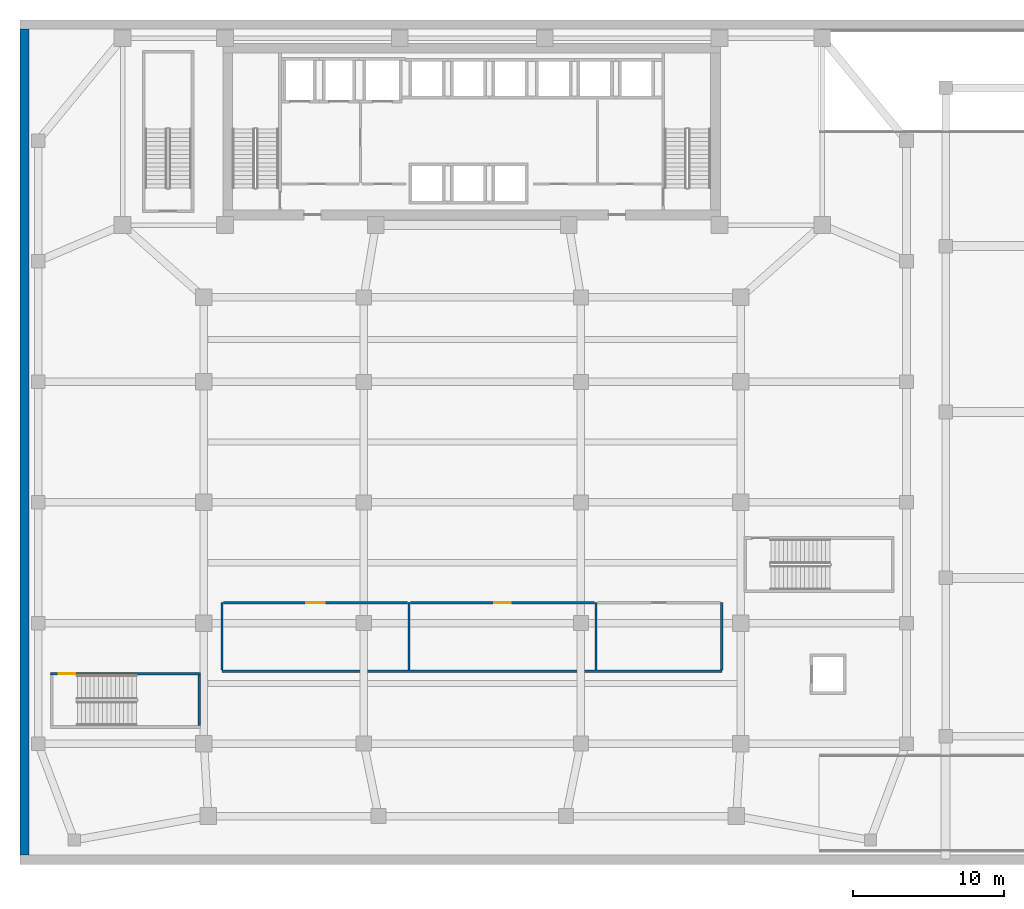
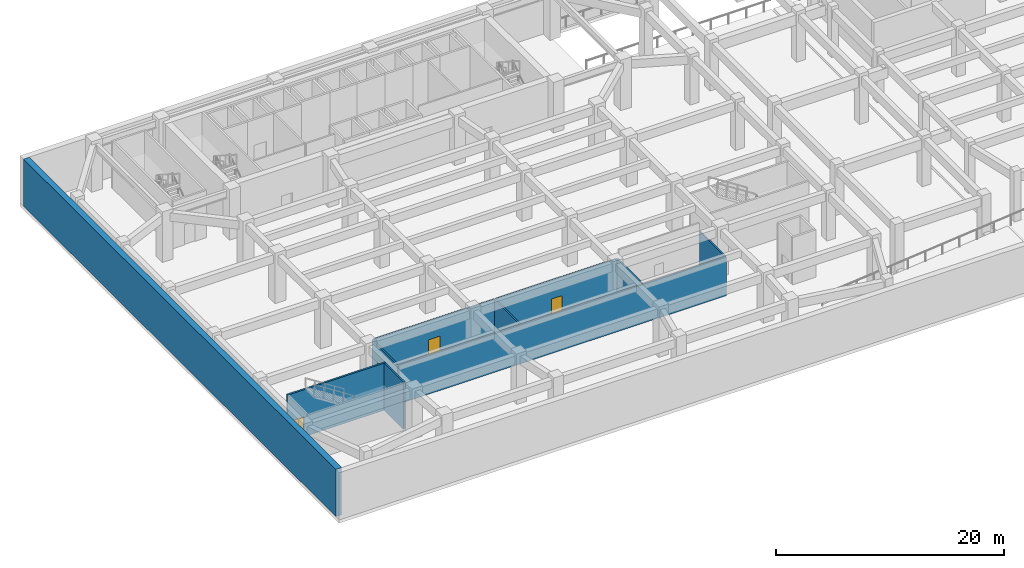
# One storey, part 4 of 14: 10 walls, 3 doors, 3 openings.
"""IFC4 building model written with IfcOpenShell, lengths in metres."""

from ifc_helpers import new_model, si_unit, direction, frame, frame_2d, origin, place, context, subcontext, project, spatial, rectangle, extrude, material, layer, layer_set, type_object, element, fill, save


model = new_model("IFC4")

# Units and contexts
model_context = context("Model", 3, precision=1e-05, world=origin(), true_north=direction((0.0, 1.0)))
body_context = subcontext(model_context, "Body", "Model", "MODEL_VIEW")
ifc_project = project(units=[si_unit("LENGTHUNIT", "METRE"), si_unit("AREAUNIT", "SQUARE_METRE"), si_unit("VOLUMEUNIT", "CUBIC_METRE"), si_unit("PLANEANGLEUNIT", "RADIAN"), si_unit("MASSUNIT", "GRAM", prefix="KILO")], contexts=[model_context])

# Site, building, storey
site_placement = place(None, origin())
site = spatial("IfcSite", under=ifc_project, at=site_placement, CompositionType="ELEMENT")
building_placement = place(site_placement, origin())
building = spatial("IfcBuilding", under=site, at=building_placement, Name="Saevonmaru Cultural Tower", CompositionType="ELEMENT")
storey_placement = place(building_placement, frame((0.0, 0.0, -5.39990234375)))
storey = spatial("IfcBuildingStorey", under=building, at=storey_placement, Name="B1", CompositionType="ELEMENT", Elevation=-5.39990234375)

# Walls
ifc_material_1 = material(Name="Gypsum Fireboard Partition", Category="gypsum")
ifc_layer_1 = layer(ifc_material_1, 0.14990234375, Name="Gypsum Fireboard Partition")
ifc_layer_set_1 = layer_set([ifc_layer_1], Name="Gypsum Fireboard Partition")
wall_type_1 = type_object("IfcWallType", Name="WL-PART-FIRE-150", PredefinedType="PARTITIONING", material=ifc_layer_set_1)
wall_1_placement = place(storey_placement, frame((13.39990234375, 12.800048828125, 0.0), z_axis=(0.0, 0.0, 1.0), x_axis=(1.0, 0.0, 0.0)))
element("IfcWall", 1, at=wall_1_placement, inside=storey, type_object=wall_type_1, Name="B1 South Suite Back Wall", PredefinedType="PARTITIONING", context=body_context, shape_type="SweptSolid", body=[
    extrude(rectangle(XDim=33.150146484375, YDim=0.14990234375, at=frame_2d((16.5751953125, 0.0))), origin(), (0.0, 0.0, 1.0), 4.135009765625),
])
for number, where, z_axis, x_axis, name in (
    (2, (13.39990234375, 12.89501953125, 0.0), (0.0, 0.0, 1.0), (0.0, 1.0, 0.0), "B1 Archive West Wall"),
    (3, (25.800048828125, 12.89501953125, 0.0), (0.0, 0.0, 1.0), (0.0, 1.0, 0.0), "B1 Archive-Cycle Divider"),
):
    element("IfcWall", number, at=place(storey_placement, frame(where, z_axis=z_axis, x_axis=x_axis)), inside=storey, type_object=wall_type_1, Name=name, PredefinedType="PARTITIONING", context=body_context, shape_type="SweptSolid", body=[
        extrude(rectangle(XDim=4.455078125, YDim=0.14990234375, at=frame_2d((2.2275390625, 0.0))), origin(), (0.0, 0.0, 1.0), 4.135009765625),
    ])

# Wall, opening, door
wall_2_placement = place(storey_placement, frame((13.4951171875, 17.35009765625, 0.0), z_axis=(0.0, 0.0, 1.0), x_axis=(1.0, 0.0, 0.0)))
wall_2 = element("IfcWall", 4, at=wall_2_placement, inside=storey, type_object=wall_type_1, Name="B1 Archive Concourse Wall", PredefinedType="PARTITIONING", context=body_context, shape_type="SweptSolid", body=[
    extrude(rectangle(XDim=12.2099609375, YDim=0.14990234375, at=frame_2d((6.10498046875, 0.0))), origin(), (0.0, 0.0, 1.0), 4.135009765625),
])
opening_1_placement = place(wall_2_placement, frame((5.5048828125, 0.0, 0.0)))
opening_1 = element("IfcOpeningElement", 5, at=opening_1_placement, cuts=wall_2, Name="Opening FD-1", PredefinedType="OPENING", context=body_context, shape_type="SweptSolid", body=[
    extrude(rectangle(XDim=1.199951171875, YDim=2.14990234375, at=frame_2d((0.60009765625, 1.074951171875))), frame((0.0, 0.0849609375, 0.0), z_axis=(0.0, -1.0, 0.0), x_axis=(1.0, 0.0, 0.0)), (0.0, 0.0, 1.0), 0.169921875),
])
ifc_material_2 = material(Name="Satin Bronze Anodised Aluminium", Category="aluminium")
door_type_1 = type_object("IfcDoorType", Name="DR-FD60-1200", OperationType="DOUBLE_DOOR_SINGLE_SWING", PredefinedType="DOOR", material=ifc_material_2)
door_1_placement = place(opening_1_placement, origin())
door_1 = element("IfcDoor", 6, at=door_1_placement, inside=storey, type_object=door_type_1, Name="B1 Climate-Controlled Archive Vault Door", OperationType="DOUBLE_DOOR_SINGLE_SWING", OverallHeight=2.14990234375, OverallWidth=1.199951171875, PredefinedType="DOOR", context=body_context, shape_type="SweptSolid", body=[
    extrude(rectangle(XDim=1.199951171875, YDim=2.14990234375, at=frame_2d((0.60009765625, 1.074951171875))), frame((0.0, 0.02490234375, 0.0), z_axis=(0.0, -1.0, 0.0), x_axis=(1.0, 0.0, 0.0)), (0.0, 0.0, 1.0), 0.050048828125),
])
fill(opening_1, door_1)

wall_3_placement = place(storey_placement, frame((25.89501953125, 17.35009765625, 0.0), z_axis=(0.0, 0.0, 1.0), x_axis=(1.0, 0.0, 0.0)))
wall_3 = element("IfcWall", 7, at=wall_3_placement, inside=storey, type_object=wall_type_1, Name="B1 Cycle Concourse Wall", PredefinedType="PARTITIONING", context=body_context, shape_type="SweptSolid", body=[
    extrude(rectangle(XDim=12.215087890625, YDim=0.14990234375, at=frame_2d((6.107421875, 0.0))), origin(), (0.0, 0.0, 1.0), 4.135009765625),
])
opening_2_placement = place(wall_3_placement, frame((5.55810546875, 0.0, 0.0)))
opening_2 = element("IfcOpeningElement", 8, at=opening_2_placement, cuts=wall_3, Name="Opening FD-2", PredefinedType="OPENING", context=body_context, shape_type="SweptSolid", body=[
    extrude(rectangle(XDim=1.10009765625, YDim=2.14990234375, at=frame_2d((0.550048828125, 1.074951171875))), frame((0.0, 0.0849609375, 0.0), z_axis=(0.0, -1.0, 0.0), x_axis=(1.0, 0.0, 0.0)), (0.0, 0.0, 1.0), 0.169921875),
])
door_type_2 = type_object("IfcDoorType", Name="DR-FD60-1100", OperationType="SINGLE_SWING_LEFT", PredefinedType="DOOR", material=ifc_material_2)
door_2_placement = place(opening_2_placement, origin())
door_2 = element("IfcDoor", 9, at=door_2_placement, inside=storey, type_object=door_type_2, Name="B1 Commuter Cycle Store Door", OperationType="SINGLE_SWING_LEFT", OverallHeight=2.14990234375, OverallWidth=1.10009765625, PredefinedType="DOOR", context=body_context, shape_type="SweptSolid", body=[
    extrude(rectangle(XDim=1.10009765625, YDim=2.14990234375, at=frame_2d((0.550048828125, 1.074951171875))), frame((0.0, 0.02490234375, 0.0), z_axis=(0.0, -1.0, 0.0), x_axis=(1.0, 0.0, 0.0)), (0.0, 0.0, 1.0), 0.050048828125),
])
fill(opening_2, door_2)

# Walls
ifc_layer_2 = layer(ifc_material_1, 0.139892578125, Name="Gypsum Fireboard Partition")
ifc_layer_set_2 = layer_set([ifc_layer_2], Name="Gypsum Fireboard Partition")
wall_type_2 = type_object("IfcWallType", Name="WL-PART-WET-140", PredefinedType="PARTITIONING", material=ifc_layer_set_2)
for number, where, z_axis, x_axis, name in (
    (10, (38.199951171875, 12.89501953125, 0.0), (0.0, 0.0, 1.0), (0.0, 1.0, 0.0), "B1 Cycle-Washroom Divider"),
    (11, (46.550048828125, 12.89501953125, 0.0), (0.0, 0.0, 1.0), (0.0, 1.0, 0.0), "B1 Washroom East Wall"),
):
    element("IfcWall", number, at=place(storey_placement, frame(where, z_axis=z_axis, x_axis=x_axis)), inside=storey, type_object=wall_type_2, Name=name, PredefinedType="PARTITIONING", context=body_context, shape_type="SweptSolid", body=[
        extrude(rectangle(XDim=4.455078125, YDim=0.139892578125, at=frame_2d((2.2275390625, 0.0))), origin(), (0.0, 0.0, 1.0), 4.135009765625),
    ])
ifc_material_3 = material(Name="Concrete C50/60", Category="concrete")
ifc_layer_3 = layer(ifc_material_3, 0.60009765625, Name="Concrete C50/60")
ifc_layer_set_3 = layer_set([ifc_layer_3], Name="Concrete C50/60")
wall_type_3 = type_object("IfcWallType", Name="WL-RET-600", PredefinedType="USERDEFINED", material=ifc_layer_set_3)
wall_4_placement = place(storey_placement, frame((0.300048828125, 0.60009765625, 0.0), z_axis=(0.0, 0.0, 1.0), x_axis=(0.0, 1.0, 0.0)))
element("IfcWall", 12, at=wall_4_placement, inside=storey, type_object=wall_type_3, Name="B1 Basement perimeter retaining wall W", ObjectType="RETAININGWALL", PredefinedType="USERDEFINED", context=body_context, shape_type="SweptSolid", body=[
    extrude(rectangle(XDim=54.7998046875, YDim=0.60009765625, at=frame_2d((27.39990234375, 0.0))), origin(), (0.0, 0.0, 1.0), 5.0498046875),
])

# Wall, opening, door
ifc_material_4 = material(Name="Concrete C40/50", Category="concrete")
ifc_layer_4 = layer(ifc_material_4, 0.179931640625, Name="Concrete C40/50")
ifc_layer_set_4 = layer_set([ifc_layer_4], Name="Concrete C40/50")
wall_type_4 = type_object("IfcWallType", Name="WL-STSHAFT-180", PredefinedType="SHEAR", material=ifc_layer_set_4)
wall_5_placement = place(storey_placement, frame((2.02001953125, 12.639892578125, 0.0), z_axis=(0.0, 0.0, 1.0), x_axis=(1.0, 0.0, 0.0)))
wall_5 = element("IfcWall", 13, at=wall_5_placement, inside=storey, type_object=wall_type_4, Name="B1 Stair SST-1 Structural Shaft Wall 1", PredefinedType="SHEAR", context=body_context, shape_type="SweptSolid", body=[
    extrude(rectangle(XDim=9.9599609375, YDim=0.179931640625, at=frame_2d((4.97998046875, 0.0))), origin(), (0.0, 0.0, 1.0), 5.0498046875),
])
opening_3_placement = place(wall_5_placement, frame((0.550048828125, 0.0, 0.0)))
opening_3 = element("IfcOpeningElement", 14, at=opening_3_placement, cuts=wall_5, Name="Opening FD-2", PredefinedType="OPENING", context=body_context, shape_type="SweptSolid", body=[
    extrude(rectangle(XDim=1.10009765625, YDim=2.14990234375, at=frame_2d((0.550048828125, 1.074951171875))), frame((0.0, 0.10009765625, 0.0), z_axis=(0.0, -1.0, 0.0), x_axis=(1.0, 0.0, 0.0)), (0.0, 0.0, 1.0), 0.199951171875),
])
door_3_placement = place(opening_3_placement, origin())
door_3 = element("IfcDoor", 15, at=door_3_placement, inside=storey, type_object=door_type_2, Name="B1 Protected Stair SST-1 Fire Door", OperationType="SINGLE_SWING_LEFT", OverallHeight=2.14990234375, OverallWidth=1.10009765625, PredefinedType="DOOR", context=body_context, shape_type="SweptSolid", body=[
    extrude(rectangle(XDim=1.10009765625, YDim=2.14990234375, at=frame_2d((0.550048828125, 1.074951171875))), frame((0.0, 0.02490234375, 0.0), z_axis=(0.0, -1.0, 0.0), x_axis=(1.0, 0.0, 0.0)), (0.0, 0.0, 1.0), 0.050048828125),
])
fill(opening_3, door_3)

# Wall
wall_6_placement = place(storey_placement, frame((11.889892578125, 12.550048828125, 0.0), z_axis=(0.0, 0.0, 1.0), x_axis=(0.0, -1.0, 0.0)))
element("IfcWall", 16, at=wall_6_placement, inside=storey, type_object=wall_type_4, Name="B1 Stair SST-1 Structural Shaft Wall 2", PredefinedType="SHEAR", context=body_context, shape_type="SweptSolid", body=[
    extrude(rectangle(XDim=3.35009765625, YDim=0.179931640625, at=frame_2d((1.675048828125, 0.0))), origin(), (0.0, 0.0, 1.0), 5.0498046875),
])

save(model, "model.ifc")
